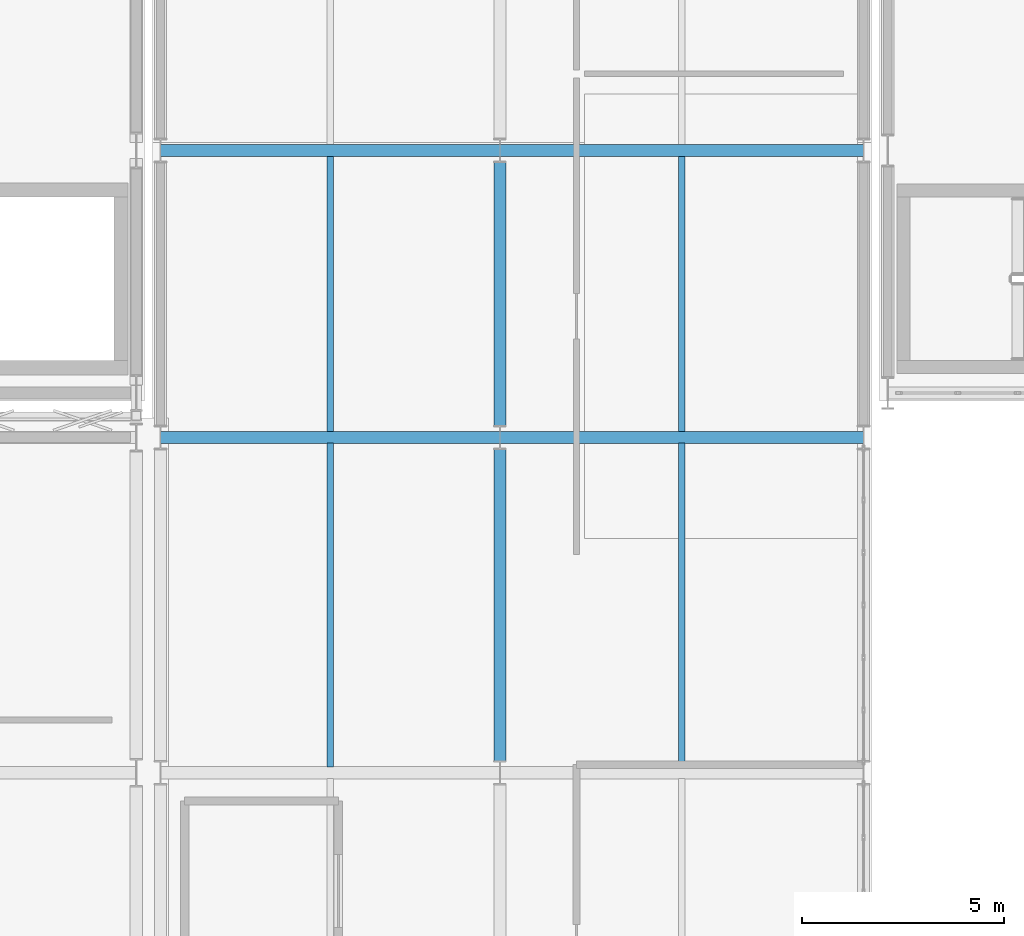
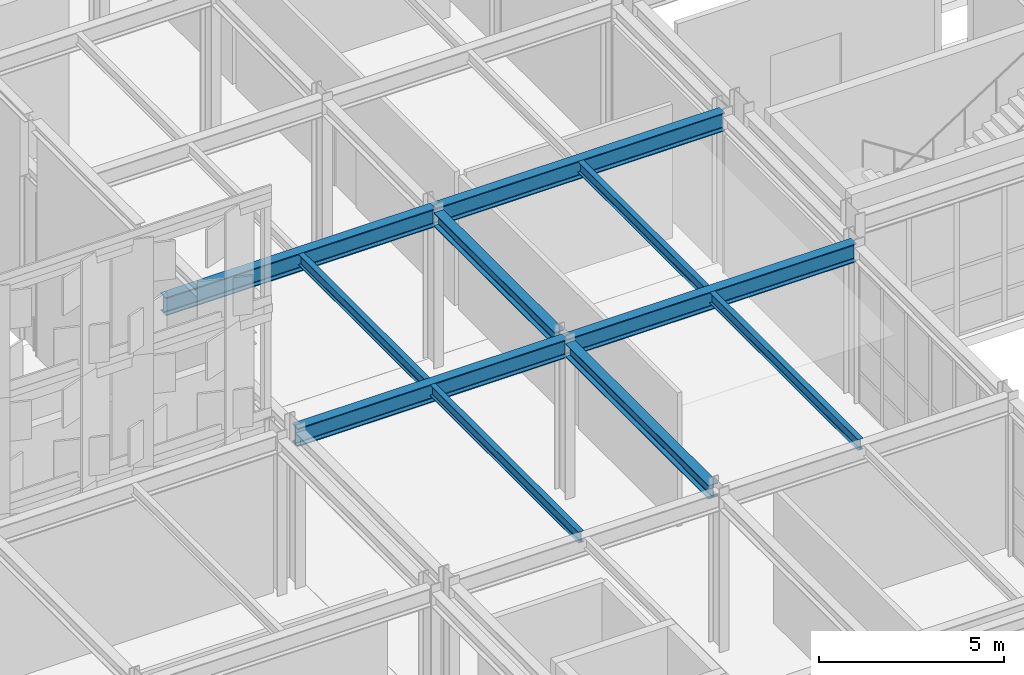
# One storey, part 107 of 210: 10 beams.
"""IFC4 building model written with IfcOpenShell, lengths in metres."""

from ifc_helpers import new_model, si_unit, direction, frame, origin, origin_2d, place, context, subcontext, project, spatial, i_section, extrude, material, material_profile, profile_set, type_object, element, save


model = new_model("IFC4")

# Units and contexts
model_context = context("Model", 3, precision=1e-05, world=origin(), true_north=direction((0.0, 1.0)))
body_context = subcontext(model_context, "Body", "Model", "MODEL_VIEW")
ifc_project = project(units=[si_unit("LENGTHUNIT", "METRE"), si_unit("AREAUNIT", "SQUARE_METRE"), si_unit("VOLUMEUNIT", "CUBIC_METRE"), si_unit("PLANEANGLEUNIT", "RADIAN"), si_unit("MASSUNIT", "GRAM", prefix="KILO")], contexts=[model_context])

# Site, building, storey
site_placement = place(None, origin())
site = spatial("IfcSite", under=ifc_project, at=site_placement, CompositionType="ELEMENT")
building_placement = place(site_placement, origin())
building = spatial("IfcBuilding", under=site, at=building_placement, Name="Kaldris Quays Convention Centre", CompositionType="ELEMENT")
storey_placement = place(building_placement, frame((0.0, 0.0, 6.0)))
storey = spatial("IfcBuildingStorey", under=building, at=storey_placement, Name="L01", CompositionType="ELEMENT", Elevation=6.0)

# Beams
ifc_material = material(Name="Steel S355J2", Category="steel")
ifc_material_profile_1 = material_profile(ifc_material, i_section(OverallWidth=0.300048828125, OverallDepth=0.60009765625, WebThickness=0.015380859375, FlangeThickness=0.030029296875, FilletRadius=0.027099609375, at=origin_2d()), Name="HEB 600")
ifc_profile_set_1 = profile_set([ifc_material_profile_1], Name="Steel S355J2")
beam_type_1 = type_object("IfcBeamType", Name="STRUCTURAL BEAM BM05", PredefinedType="BEAM", material=ifc_profile_set_1)
beam_1_placement = place(storey_placement, frame((146.601806640625, 54.89990234375, 4.843017578125), z_axis=(1.0, 0.0, 0.0), x_axis=(0.0, 1.0, 0.0)))
element("IfcBeam", 1, at=beam_1_placement, inside=storey, type_object=beam_type_1, Name="L01 Girder BM05 26", PredefinedType="BEAM", context=body_context, shape_type="SweptSolid", body=[
    extrude(i_section(OverallWidth=0.300048828125, OverallDepth=0.60009765625, WebThickness=0.015380859375, FlangeThickness=0.030029296875, FilletRadius=0.027099609375, at=origin_2d()), origin(), (0.0, 0.0, 1.0), 8.396484375),
])
beam_2_placement = place(storey_placement, frame((155.001708984375, 54.89990234375, 4.843017578125), z_axis=(1.0, 0.0, 0.0), x_axis=(0.0, 1.0, 0.0)))
element("IfcBeam", 2, at=beam_2_placement, inside=storey, type_object=beam_type_1, Name="L01 Girder BM05 27", PredefinedType="BEAM", context=body_context, shape_type="SweptSolid", body=[
    extrude(i_section(OverallWidth=0.300048828125, OverallDepth=0.60009765625, WebThickness=0.015380859375, FlangeThickness=0.030029296875, FilletRadius=0.027099609375, at=origin_2d()), origin(), (0.0, 0.0, 1.0), 8.99658203125),
])
beam_3_placement = place(storey_placement, frame((146.601806640625, 62.0, 4.843017578125), z_axis=(1.0, 0.0, 0.0), x_axis=(0.0, 1.0, 0.0)))
element("IfcBeam", 3, at=beam_3_placement, inside=storey, type_object=beam_type_1, Name="L01 Girder BM05 28", PredefinedType="BEAM", context=body_context, shape_type="SweptSolid", body=[
    extrude(i_section(OverallWidth=0.300048828125, OverallDepth=0.60009765625, WebThickness=0.015380859375, FlangeThickness=0.030029296875, FilletRadius=0.027099609375, at=origin_2d()), origin(), (0.0, 0.0, 1.0), 8.396484375),
])
beam_4_placement = place(storey_placement, frame((155.001708984375, 62.0, 4.843017578125), z_axis=(1.0, 0.0, 0.0), x_axis=(0.0, 1.0, 0.0)))
element("IfcBeam", 4, at=beam_4_placement, inside=storey, type_object=beam_type_1, Name="L01 Girder BM05 29", PredefinedType="BEAM", context=body_context, shape_type="SweptSolid", body=[
    extrude(i_section(OverallWidth=0.300048828125, OverallDepth=0.60009765625, WebThickness=0.015380859375, FlangeThickness=0.030029296875, FilletRadius=0.027099609375, at=origin_2d()), origin(), (0.0, 0.0, 1.0), 8.99658203125),
])
ifc_material_profile_2 = material_profile(ifc_material, i_section(OverallWidth=0.300048828125, OverallDepth=0.449951171875, WebThickness=0.013916015625, FlangeThickness=0.02587890625, FilletRadius=0.027099609375, at=origin_2d()), Name="HEB 450")
ifc_profile_set_2 = profile_set([ifc_material_profile_2], Name="Steel S355J2")
beam_type_2 = type_object("IfcBeamType", Name="STRUCTURAL BEAM BM07", PredefinedType="BEAM", material=ifc_profile_set_2)
beam_5_placement = place(storey_placement, frame((155.0, 46.89404296875, 4.91796875), z_axis=(0.0, 1.0, 0.0), x_axis=(-1.0, 0.0, 0.0)))
element("IfcBeam", 5, at=beam_5_placement, inside=storey, type_object=beam_type_2, Name="L01 Girder BM07 79", PredefinedType="BEAM", context=body_context, shape_type="SweptSolid", body=[
    extrude(i_section(OverallWidth=0.300048828125, OverallDepth=0.449951171875, WebThickness=0.013916015625, FlangeThickness=0.02587890625, FilletRadius=0.027099609375, at=origin_2d()), origin(), (0.0, 0.0, 1.0), 7.7119140625),
])
beam_6_placement = place(storey_placement, frame((155.0, 55.194091796875, 4.91796875), z_axis=(0.0, 1.0, 0.0), x_axis=(-1.0, 0.0, 0.0)))
element("IfcBeam", 6, at=beam_6_placement, inside=storey, type_object=beam_type_2, Name="L01 Girder BM07 80", PredefinedType="BEAM", context=body_context, shape_type="SweptSolid", body=[
    extrude(i_section(OverallWidth=0.300048828125, OverallDepth=0.449951171875, WebThickness=0.013916015625, FlangeThickness=0.02587890625, FilletRadius=0.027099609375, at=origin_2d()), origin(), (0.0, 0.0, 1.0), 6.511962890625),
])
ifc_material_profile_3 = material_profile(ifc_material, i_section(OverallWidth=0.169921875, OverallDepth=0.360107421875, WebThickness=0.008056640625, FlangeThickness=0.0126953125, FilletRadius=0.01806640625, at=origin_2d()), Name="IPE 360")
ifc_profile_set_3 = profile_set([ifc_material_profile_3], Name="Steel S355J2")
beam_type_3 = type_object("IfcBeamType", Name="STRUCTURAL BEAM JT03", PredefinedType="JOIST", material=ifc_profile_set_3)
for number, where, z_axis, x_axis, name in (
    (7, (150.800048828125, 46.743896484375, 4.962890625), (0.0, 1.0, 0.0), (-1.0, 0.0, 0.0), "L01 Secondary Joist JT03 10"),
    (8, (159.5, 46.743896484375, 4.962890625), (0.0, 1.0, 0.0), (-1.0, 0.0, 0.0), "L01 Secondary Joist JT03 11"),
):
    element("IfcBeam", number, at=place(storey_placement, frame(where, z_axis=z_axis, x_axis=x_axis)), inside=storey, type_object=beam_type_3, Name=name, PredefinedType="JOIST", context=body_context, shape_type="SweptSolid", body=[
        extrude(i_section(OverallWidth=0.169921875, OverallDepth=0.360107421875, WebThickness=0.008056640625, FlangeThickness=0.0126953125, FilletRadius=0.01806640625, at=origin_2d()), origin(), (0.0, 0.0, 1.0), 8.01220703125),
    ])
for number, where, z_axis, x_axis, name in (
    (9, (150.800048828125, 55.0439453125, 4.962890625), (0.0, 1.0, 0.0), (-1.0, 0.0, 0.0), "L01 Secondary Joist JT03 12"),
    (10, (159.5, 55.0439453125, 4.962890625), (0.0, 1.0, 0.0), (-1.0, 0.0, 0.0), "L01 Secondary Joist JT03 13"),
):
    element("IfcBeam", number, at=place(storey_placement, frame(where, z_axis=z_axis, x_axis=x_axis)), inside=storey, type_object=beam_type_3, Name=name, PredefinedType="JOIST", context=body_context, shape_type="SweptSolid", body=[
        extrude(i_section(OverallWidth=0.169921875, OverallDepth=0.360107421875, WebThickness=0.008056640625, FlangeThickness=0.0126953125, FilletRadius=0.01806640625, at=origin_2d()), origin(), (0.0, 0.0, 1.0), 6.81201171875),
    ])

save(model, "model.ifc")
